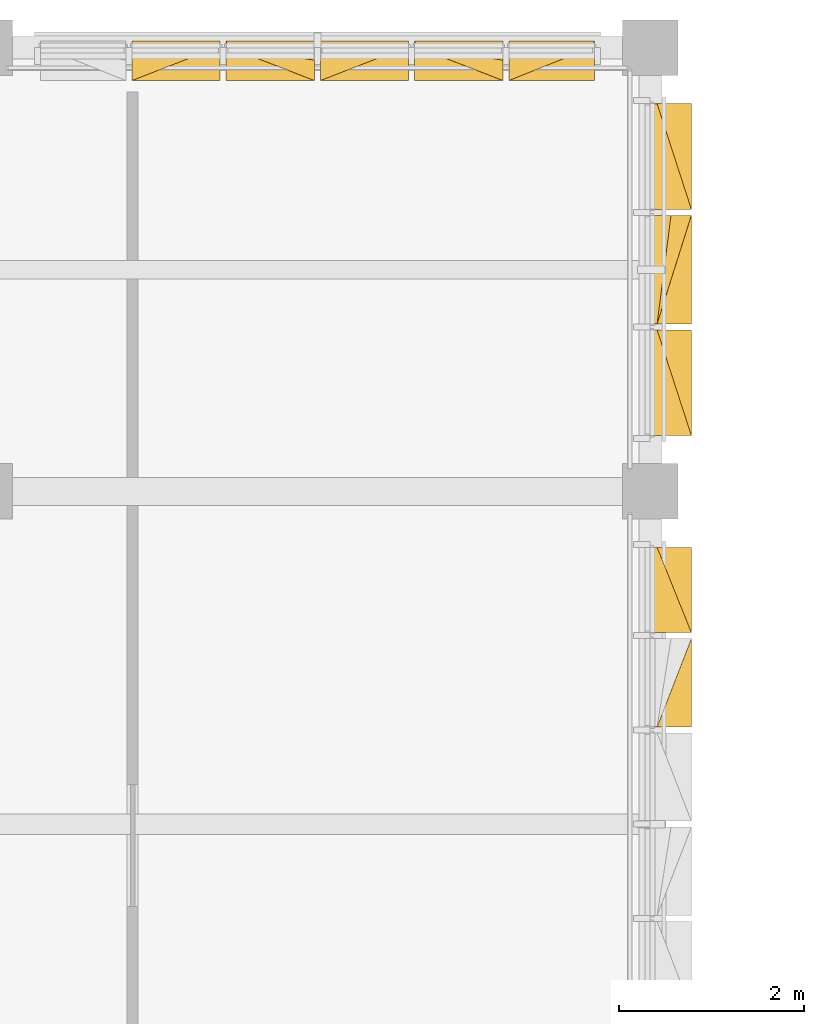
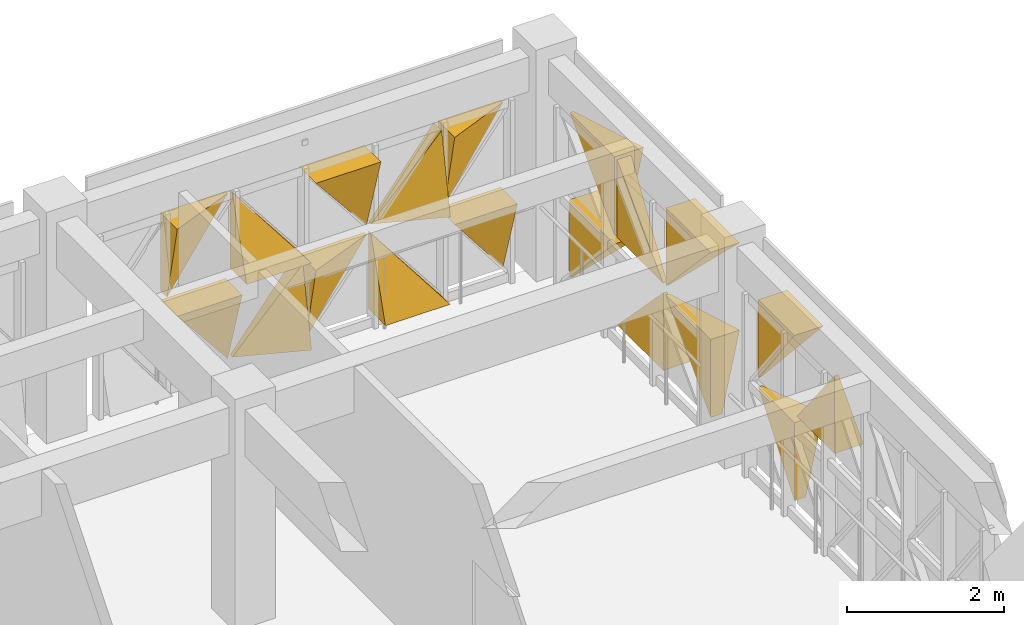
# One storey, part 74 of 74: 19 coverings.
"""IFC4 building model written with IfcOpenShell, lengths in metres."""

from ifc_helpers import new_model, si_unit, direction, frame, origin, place, context, subcontext, project, spatial, polygons, material, layer, layer_set, type_object, element, save


model = new_model("IFC4")

# Units and contexts
model_context = context("Model", 3, precision=1e-05, world=origin(), true_north=direction((0.0, 1.0)))
body_context = subcontext(model_context, "Body", "Model", "MODEL_VIEW")
ifc_project = project(units=[si_unit("LENGTHUNIT", "METRE"), si_unit("AREAUNIT", "SQUARE_METRE"), si_unit("VOLUMEUNIT", "CUBIC_METRE"), si_unit("PLANEANGLEUNIT", "RADIAN"), si_unit("MASSUNIT", "GRAM", prefix="KILO")], contexts=[model_context])

# Site, building, storey
site_placement = place(None, origin())
site = spatial("IfcSite", under=ifc_project, at=site_placement, CompositionType="ELEMENT")
building_placement = place(site_placement, origin())
building = spatial("IfcBuilding", under=site, at=building_placement, Name="Alvorim Cloister Faculty of Sciences", CompositionType="ELEMENT")
storey_placement = place(building_placement, frame((0.0, 0.0, 15.75)))
storey = spatial("IfcBuildingStorey", under=building, at=storey_placement, Name="L04", CompositionType="ELEMENT", Elevation=15.75)

# Coverings
ifc_material = material(Name="Perforated Bronze Alloy Sheet", Category="metal")
ifc_layer = layer(ifc_material, 0.0380859375)
ifc_layer_set = layer_set([ifc_layer], Name="Perforated Bronze Alloy Sheet")
covering_type = type_object("IfcCoveringType", Name="COV-TRI-BRZ", PredefinedType="CLADDING", material=ifc_layer_set)
covering_1_placement = place(storey_placement, frame((15.992431640625, 111.64501953125, 0.139892578125), z_axis=(0.0, 0.0, 1.0), x_axis=(1.0, 0.0, 0.0)))
element("IfcCovering", 1, at=covering_1_placement, inside=storey, type_object=covering_type, Name="Diagonal Solid Metal Triangle TRI-TR", PredefinedType="CLADDING", context=body_context, shape_type="Tessellation", body=[
    polygons([(0.955078125, 0.0260009765625, 0.002), (0.955078125, 0.0260009765625, 1.215087890625), (0.002, 0.0260009765625, 1.215087890625), (0.955078125, -0.03, 0.002), (0.955078125, -0.4, 1.215087890625), (0.002, -0.4, 1.215087890625)], [[[1, 3, 2]], [[4, 5, 6]], [[1, 2, 5, 4]], [[2, 3, 6, 5]], [[3, 1, 4, 6]]], closed=True),
])
covering_2_placement = place(storey_placement, frame((15.992431640625, 111.64501953125, 1.4951171875), z_axis=(0.0, 0.0, 1.0), x_axis=(1.0, 0.0, 0.0)))
element("IfcCovering", 2, at=covering_2_placement, inside=storey, type_object=covering_type, Name="Diagonal Solid Metal Triangle TRI-TL", PredefinedType="CLADDING", context=body_context, shape_type="Tessellation", body=[
    polygons([(0.953078125, 0.0260009765625, 1.21484375), (0.0, 0.0260009765625, 1.21484375), (0.0, 0.0260009765625, 0.002), (0.953078125, -0.03, 1.21484375), (0.0, -0.4, 1.21484375), (0.0, -0.13999999999999999, 0.002)], [[[1, 3, 2]], [[4, 5, 6]], [[1, 2, 5, 4]], [[2, 3, 6, 5]], [[3, 1, 4, 6]]], closed=True),
])
covering_3_placement = place(storey_placement, frame((17.012451171875, 111.64501953125, 0.139892578125), z_axis=(0.0, 0.0, 1.0), x_axis=(1.0, 0.0, 0.0)))
element("IfcCovering", 3, at=covering_3_placement, inside=storey, type_object=covering_type, Name="Diagonal Solid Metal Triangle TRI-BR", PredefinedType="CLADDING", context=body_context, shape_type="Tessellation", body=[
    polygons([(0.002, 0.0260009765625, 0.0), (0.955078125, 0.0260009765625, 0.0), (0.955078125, 0.0260009765625, 1.213087890625), (0.002, -0.03, 0.0), (0.955078125, -0.4, 0.0), (0.955078125, -0.18000000000000002, 1.213087890625)], [[[1, 3, 2]], [[4, 5, 6]], [[1, 2, 5, 4]], [[2, 3, 6, 5]], [[3, 1, 4, 6]]], closed=True),
])
covering_4_placement = place(storey_placement, frame((17.012451171875, 111.64501953125, 1.4951171875), z_axis=(0.0, 0.0, 1.0), x_axis=(1.0, 0.0, 0.0)))
element("IfcCovering", 4, at=covering_4_placement, inside=storey, type_object=covering_type, Name="Diagonal Solid Metal Triangle TRI-BL", PredefinedType="CLADDING", context=body_context, shape_type="Tessellation", body=[
    polygons([(0.0, 0.0260009765625, 0.0), (0.953078125, 0.0260009765625, 0.0), (0.0, 0.0260009765625, 1.21284375), (0.0, -0.4, 0.0), (0.953078125, -0.4, 0.0), (0.0, -0.03, 1.21284375)], [[[1, 3, 2]], [[4, 5, 6]], [[1, 2, 5, 4]], [[2, 3, 6, 5]], [[3, 1, 4, 6]]], closed=True),
])
covering_5_placement = place(storey_placement, frame((18.032470703125, 111.64501953125, 0.139892578125), z_axis=(0.0, 0.0, 1.0), x_axis=(1.0, 0.0, 0.0)))
element("IfcCovering", 5, at=covering_5_placement, inside=storey, type_object=covering_type, Name="Diagonal Solid Metal Triangle TRI-TL", PredefinedType="CLADDING", context=body_context, shape_type="Tessellation", body=[
    polygons([(0.953078125, 0.0260009765625, 1.215087890625), (0.0, 0.0260009765625, 1.215087890625), (0.0, 0.0260009765625, 0.002), (0.953078125, -0.03, 1.215087890625), (0.0, -0.4, 1.215087890625), (0.0, -0.13999999999999999, 0.002)], [[[1, 3, 2]], [[4, 5, 6]], [[1, 2, 5, 4]], [[2, 3, 6, 5]], [[3, 1, 4, 6]]], closed=True),
])
covering_6_placement = place(storey_placement, frame((18.032470703125, 111.64501953125, 1.4951171875), z_axis=(0.0, 0.0, 1.0), x_axis=(1.0, 0.0, 0.0)))
element("IfcCovering", 6, at=covering_6_placement, inside=storey, type_object=covering_type, Name="Diagonal Solid Metal Triangle TRI-TR", PredefinedType="CLADDING", context=body_context, shape_type="Tessellation", body=[
    polygons([(0.955078125, 0.0260009765625, 0.002), (0.955078125, 0.0260009765625, 1.21484375), (0.002, 0.0260009765625, 1.21484375), (0.955078125, -0.03, 0.002), (0.955078125, -0.4, 1.21484375), (0.002, -0.4, 1.21484375)], [[[1, 3, 2]], [[4, 5, 6]], [[1, 2, 5, 4]], [[2, 3, 6, 5]], [[3, 1, 4, 6]]], closed=True),
])
covering_7_placement = place(storey_placement, frame((19.052490234375, 111.64501953125, 0.139892578125), z_axis=(0.0, 0.0, 1.0), x_axis=(1.0, 0.0, 0.0)))
element("IfcCovering", 7, at=covering_7_placement, inside=storey, type_object=covering_type, Name="Diagonal Solid Metal Triangle TRI-BL", PredefinedType="CLADDING", context=body_context, shape_type="Tessellation", body=[
    polygons([(0.0, 0.0260009765625, 0.0), (0.953078125, 0.0260009765625, 0.0), (0.0, 0.0260009765625, 1.213087890625), (0.0, -0.4, 0.0), (0.953078125, -0.4, 0.0), (0.0, -0.03, 1.213087890625)], [[[1, 3, 2]], [[4, 5, 6]], [[1, 2, 5, 4]], [[2, 3, 6, 5]], [[3, 1, 4, 6]]], closed=True),
])
covering_8_placement = place(storey_placement, frame((19.052490234375, 111.64501953125, 1.4951171875), z_axis=(0.0, 0.0, 1.0), x_axis=(1.0, 0.0, 0.0)))
element("IfcCovering", 8, at=covering_8_placement, inside=storey, type_object=covering_type, Name="Diagonal Solid Metal Triangle TRI-BR", PredefinedType="CLADDING", context=body_context, shape_type="Tessellation", body=[
    polygons([(0.002, 0.0260009765625, 0.0), (0.955078125, 0.0260009765625, 0.0), (0.955078125, 0.0260009765625, 1.21284375), (0.002, -0.03, 0.0), (0.955078125, -0.4, 0.0), (0.955078125, -0.18000000000000002, 1.21284375)], [[[1, 3, 2]], [[4, 5, 6]], [[1, 2, 5, 4]], [[2, 3, 6, 5]], [[3, 1, 4, 6]]], closed=True),
])
covering_9_placement = place(storey_placement, frame((20.072509765625, 111.64501953125, 0.139892578125), z_axis=(0.0, 0.0, 1.0), x_axis=(1.0, 0.0, 0.0)))
element("IfcCovering", 9, at=covering_9_placement, inside=storey, type_object=covering_type, Name="Diagonal Solid Metal Triangle TRI-TR", PredefinedType="CLADDING", context=body_context, shape_type="Tessellation", body=[
    polygons([(0.922607421875, 0.0260009765625, 0.002), (0.922607421875, 0.0260009765625, 1.215087890625), (0.002, 0.0260009765625, 1.215087890625), (0.922607421875, -0.03, 0.002), (0.922607421875, -0.4, 1.215087890625), (0.002, -0.4, 1.215087890625)], [[[1, 3, 2]], [[4, 5, 6]], [[1, 2, 5, 4]], [[2, 3, 6, 5]], [[3, 1, 4, 6]]], closed=True),
])
covering_10_placement = place(storey_placement, frame((20.072509765625, 111.64501953125, 1.4951171875), z_axis=(0.0, 0.0, 1.0), x_axis=(1.0, 0.0, 0.0)))
element("IfcCovering", 10, at=covering_10_placement, inside=storey, type_object=covering_type, Name="Diagonal Solid Metal Triangle TRI-TL", PredefinedType="CLADDING", context=body_context, shape_type="Tessellation", body=[
    polygons([(0.920607421875, 0.0260009765625, 1.21484375), (0.0, 0.0260009765625, 1.21484375), (0.0, 0.0260009765625, 0.002), (0.920607421875, -0.03, 1.21484375), (0.0, -0.4, 1.21484375), (0.0, -0.13999999999999999, 0.002)], [[[1, 3, 2]], [[4, 5, 6]], [[1, 2, 5, 4]], [[2, 3, 6, 5]], [[3, 1, 4, 6]]], closed=True),
])
covering_11_placement = place(storey_placement, frame((21.64501953125, 107.405029296875, 0.139892578125), z_axis=(0.0, 0.0, 1.0), x_axis=(0.0, 1.0, 0.0)))
element("IfcCovering", 11, at=covering_11_placement, inside=storey, type_object=covering_type, Name="Diagonal Solid Metal Triangle TRI-TL", PredefinedType="CLADDING", context=body_context, shape_type="Tessellation", body=[
    polygons([(1.140578125, 0.0260009765625, 1.215087890625), (0.0, 0.0260009765625, 1.215087890625), (0.0, 0.0260009765625, 0.002), (1.140578125, -0.03, 1.215087890625), (0.0, -0.4, 1.215087890625), (0.0, -0.13999999999999999, 0.002)], [[[1, 3, 2]], [[4, 5, 6]], [[1, 2, 5, 4]], [[2, 3, 6, 5]], [[3, 1, 4, 6]]], closed=True),
])
covering_12_placement = place(storey_placement, frame((21.64501953125, 107.405029296875, 1.4951171875), z_axis=(0.0, 0.0, 1.0), x_axis=(0.0, 1.0, 0.0)))
element("IfcCovering", 12, at=covering_12_placement, inside=storey, type_object=covering_type, Name="Diagonal Solid Metal Triangle TRI-TR", PredefinedType="CLADDING", context=body_context, shape_type="Tessellation", body=[
    polygons([(1.142578125, 0.0260009765625, 0.002), (1.142578125, 0.0260009765625, 1.21484375), (0.002, 0.0260009765625, 1.21484375), (1.142578125, -0.03, 0.002), (1.142578125, -0.4, 1.21484375), (0.002, -0.4, 1.21484375)], [[[1, 3, 2]], [[4, 5, 6]], [[1, 2, 5, 4]], [[2, 3, 6, 5]], [[3, 1, 4, 6]]], closed=True),
])
covering_13_placement = place(storey_placement, frame((21.64501953125, 108.612548828125, 0.139892578125), z_axis=(0.0, 0.0, 1.0), x_axis=(0.0, 1.0, 0.0)))
element("IfcCovering", 13, at=covering_13_placement, inside=storey, type_object=covering_type, Name="Diagonal Solid Metal Triangle TRI-BL", PredefinedType="CLADDING", context=body_context, shape_type="Tessellation", body=[
    polygons([(0.0, 0.0260009765625, 0.0), (1.173048828125, 0.0260009765625, 0.0), (0.0, 0.0260009765625, 1.213087890625), (0.0, -0.4, 0.0), (1.173048828125, -0.4, 0.0), (0.0, -0.03, 1.213087890625)], [[[1, 3, 2]], [[4, 5, 6]], [[1, 2, 5, 4]], [[2, 3, 6, 5]], [[3, 1, 4, 6]]], closed=True),
])
covering_14_placement = place(storey_placement, frame((21.64501953125, 108.612548828125, 1.4951171875), z_axis=(0.0, 0.0, 1.0), x_axis=(0.0, 1.0, 0.0)))
element("IfcCovering", 14, at=covering_14_placement, inside=storey, type_object=covering_type, Name="Diagonal Solid Metal Triangle TRI-BR", PredefinedType="CLADDING", context=body_context, shape_type="Tessellation", body=[
    polygons([(0.002, 0.0260009765625, 0.0), (1.175048828125, 0.0260009765625, 0.0), (1.175048828125, 0.0260009765625, 1.21284375), (0.002, -0.03, 0.0), (1.175048828125, -0.4, 0.0), (1.175048828125, -0.18000000000000002, 1.21284375)], [[[1, 3, 2]], [[4, 5, 6]], [[1, 2, 5, 4]], [[2, 3, 6, 5]], [[3, 1, 4, 6]]], closed=True),
])
covering_15_placement = place(storey_placement, frame((21.64501953125, 109.8525390625, 0.139892578125), z_axis=(0.0, 0.0, 1.0), x_axis=(0.0, 1.0, 0.0)))
element("IfcCovering", 15, at=covering_15_placement, inside=storey, type_object=covering_type, Name="Diagonal Solid Metal Triangle TRI-TR", PredefinedType="CLADDING", context=body_context, shape_type="Tessellation", body=[
    polygons([(1.142578125, 0.0260009765625, 0.002), (1.142578125, 0.0260009765625, 1.215087890625), (0.002, 0.0260009765625, 1.215087890625), (1.142578125, -0.03, 0.002), (1.142578125, -0.4, 1.215087890625), (0.002, -0.4, 1.215087890625)], [[[1, 3, 2]], [[4, 5, 6]], [[1, 2, 5, 4]], [[2, 3, 6, 5]], [[3, 1, 4, 6]]], closed=True),
])
covering_16_placement = place(storey_placement, frame((21.64501953125, 109.8525390625, 1.4951171875), z_axis=(0.0, 0.0, 1.0), x_axis=(0.0, 1.0, 0.0)))
element("IfcCovering", 16, at=covering_16_placement, inside=storey, type_object=covering_type, Name="Diagonal Solid Metal Triangle TRI-TL", PredefinedType="CLADDING", context=body_context, shape_type="Tessellation", body=[
    polygons([(1.140578125, 0.0260009765625, 1.21484375), (0.0, 0.0260009765625, 1.21484375), (0.0, 0.0260009765625, 0.002), (1.140578125, -0.03, 1.21484375), (0.0, -0.4, 1.21484375), (0.0, -0.13999999999999999, 0.002)], [[[1, 3, 2]], [[4, 5, 6]], [[1, 2, 5, 4]], [[2, 3, 6, 5]], [[3, 1, 4, 6]]], closed=True),
])
covering_17_placement = place(storey_placement, frame((21.64501953125, 104.25244140625, 1.4951171875), z_axis=(0.0, 0.0, 1.0), x_axis=(0.0, 1.0, 0.0)))
element("IfcCovering", 17, at=covering_17_placement, inside=storey, type_object=covering_type, Name="Diagonal Solid Metal Triangle TRI-BL", PredefinedType="CLADDING", context=body_context, shape_type="Tessellation", body=[
    polygons([(0.0, 0.0260009765625, 0.0), (0.953078125, 0.0260009765625, 0.0), (0.0, 0.0260009765625, 1.21284375), (0.0, -0.4, 0.0), (0.953078125, -0.4, 0.0), (0.0, -0.03, 1.21284375)], [[[1, 3, 2]], [[4, 5, 6]], [[1, 2, 5, 4]], [[2, 3, 6, 5]], [[3, 1, 4, 6]]], closed=True),
])
covering_18_placement = place(storey_placement, frame((21.64501953125, 105.2724609375, 0.139892578125), z_axis=(0.0, 0.0, 1.0), x_axis=(0.0, 1.0, 0.0)))
element("IfcCovering", 18, at=covering_18_placement, inside=storey, type_object=covering_type, Name="Diagonal Solid Metal Triangle TRI-TL", PredefinedType="CLADDING", context=body_context, shape_type="Tessellation", body=[
    polygons([(0.920607421875, 0.0260009765625, 1.215087890625), (0.0, 0.0260009765625, 1.215087890625), (0.0, 0.0260009765625, 0.002), (0.920607421875, -0.03, 1.215087890625), (0.0, -0.4, 1.215087890625), (0.0, -0.13999999999999999, 0.002)], [[[1, 3, 2]], [[4, 5, 6]], [[1, 2, 5, 4]], [[2, 3, 6, 5]], [[3, 1, 4, 6]]], closed=True),
])
covering_19_placement = place(storey_placement, frame((21.64501953125, 105.2724609375, 1.4951171875), z_axis=(0.0, 0.0, 1.0), x_axis=(0.0, 1.0, 0.0)))
element("IfcCovering", 19, at=covering_19_placement, inside=storey, type_object=covering_type, Name="Diagonal Solid Metal Triangle TRI-TR", PredefinedType="CLADDING", context=body_context, shape_type="Tessellation", body=[
    polygons([(0.922607421875, 0.0260009765625, 0.002), (0.922607421875, 0.0260009765625, 1.21484375), (0.002, 0.0260009765625, 1.21484375), (0.922607421875, -0.03, 0.002), (0.922607421875, -0.4, 1.21484375), (0.002, -0.4, 1.21484375)], [[[1, 3, 2]], [[4, 5, 6]], [[1, 2, 5, 4]], [[2, 3, 6, 5]], [[3, 1, 4, 6]]], closed=True),
])

save(model, "model.ifc")
